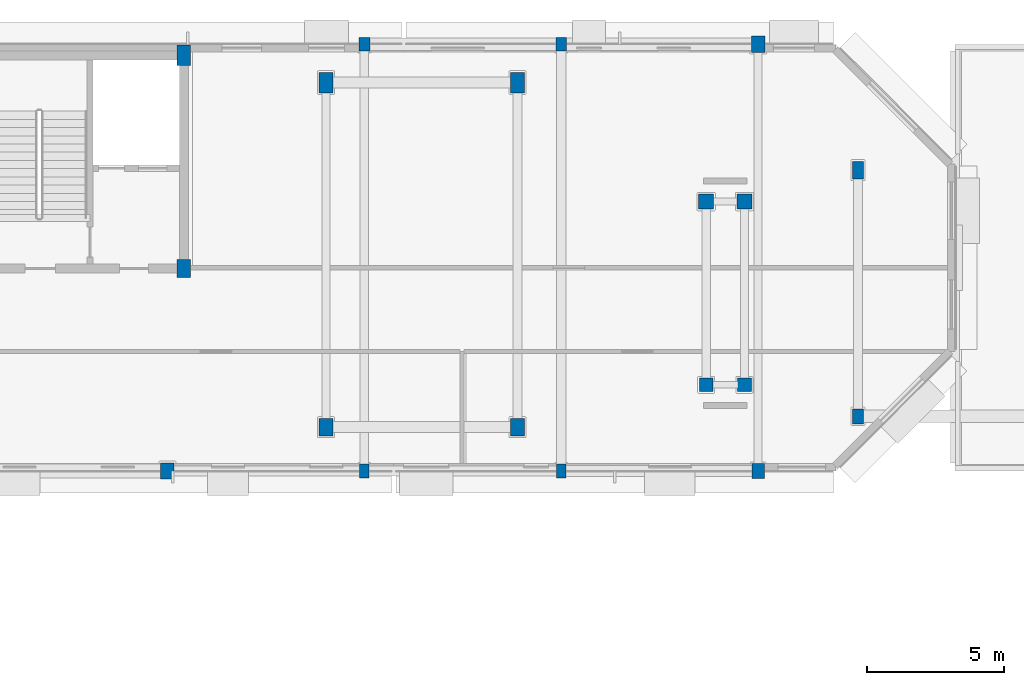
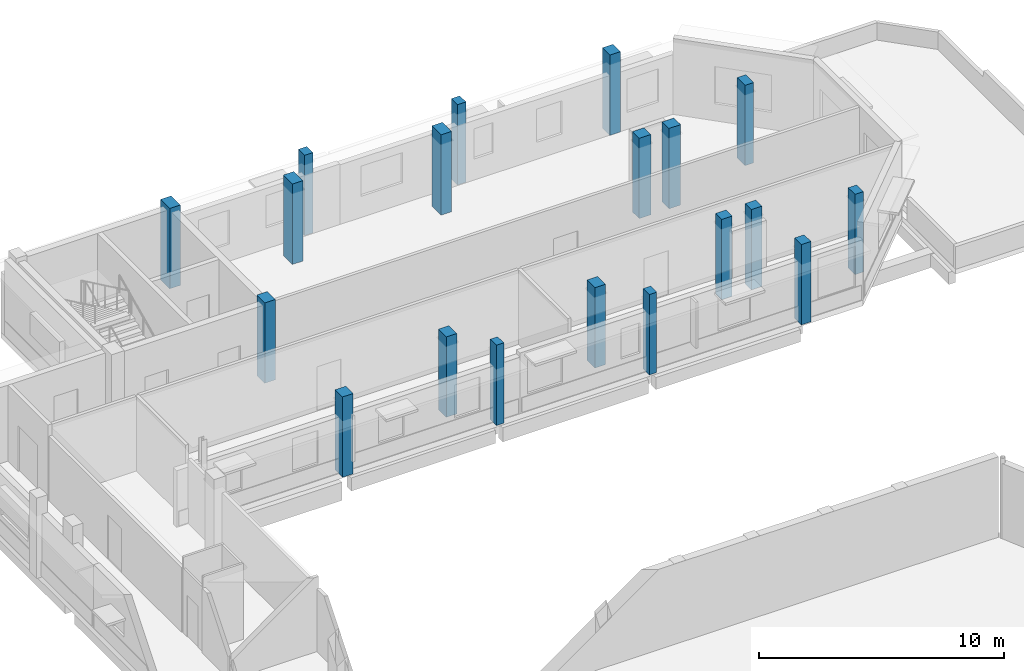
# One storey, part 17 of 105: 19 columns.
"""IFC4 building model written with IfcOpenShell, lengths in metres."""

from ifc_helpers import new_model, si_unit, direction, frame, origin, origin_2d, place, context, subcontext, project, spatial, rectangle, extrude, material, material_profile, profile_set, type_object, element, save


model = new_model("IFC4")

# Units and contexts
model_context = context("Model", 3, precision=1e-05, world=origin(), true_north=direction((0.0, 1.0)))
body_context = subcontext(model_context, "Body", "Model", "MODEL_VIEW")
ifc_project = project(units=[si_unit("LENGTHUNIT", "METRE"), si_unit("AREAUNIT", "SQUARE_METRE"), si_unit("VOLUMEUNIT", "CUBIC_METRE"), si_unit("PLANEANGLEUNIT", "RADIAN"), si_unit("MASSUNIT", "GRAM", prefix="KILO")], contexts=[model_context])

# Site, building, storey
site_placement = place(None, origin())
site = spatial("IfcSite", under=ifc_project, at=site_placement, CompositionType="ELEMENT")
building_placement = place(site_placement, origin())
building = spatial("IfcBuilding", under=site, at=building_placement, Name="Kelanivale Promenade Academy", CompositionType="ELEMENT")
storey_placement = place(building_placement, frame((0.0, 0.0, 4.199951171875)))
storey = spatial("IfcBuildingStorey", under=building, at=storey_placement, Name="L01", CompositionType="ELEMENT", Elevation=4.199951171875)

# Columns
ifc_material = material(Name="Concrete C40/50", Category="concrete")
ifc_material_profile_1 = material_profile(ifc_material, rectangle(XDim=0.5, YDim=0.5, at=origin_2d()), Name="RC-COL 500x500")
ifc_profile_set_1 = profile_set([ifc_material_profile_1], Name="Concrete C40/50")
column_type_1 = type_object("IfcColumnType", Name="C-03 RC-COL 500x500", PredefinedType="COLUMN", material=ifc_profile_set_1)
for number, where, z_axis, x_axis, name in (
    (1, (149.699951171875, 99.550048828125, 0.0), (0.0, 0.0, 1.0), (1.0, 0.0, 0.0), "Column C-03 at (149.7, 99.5) L01"),
    (2, (151.10009765625, 99.550048828125, 0.0), (0.0, 0.0, 1.0), (1.0, 0.0, 0.0), "Column C-03 at (151.1, 99.5) L01"),
):
    element("IfcColumn", number, at=place(storey_placement, frame(where, z_axis=z_axis, x_axis=x_axis)), inside=storey, type_object=column_type_1, Name=name, PredefinedType="COLUMN", context=body_context, shape_type="SweptSolid", body=[
        extrude(rectangle(XDim=0.5, YDim=0.5, at=origin_2d()), origin(), (0.0, 0.0, 1.0), 4.0),
    ])
ifc_material_profile_2 = material_profile(ifc_material, rectangle(XDim=0.550048828125, YDim=0.550048828125, at=origin_2d()), Name="RC-COL 550x550")
ifc_profile_set_2 = profile_set([ifc_material_profile_2], Name="Concrete C40/50")
column_type_2 = type_object("IfcColumnType", Name="C-04 RC-COL 550x550", PredefinedType="COLUMN", material=ifc_profile_set_2)
for number, where, z_axis, x_axis, name in (
    (3, (149.699951171875, 106.25, 0.0), (0.0, 0.0, 1.0), (1.0, 0.0, 0.0), "Column C-04 at (149.7, 106.2) L01"),
    (4, (151.10009765625, 106.25, 0.0), (0.0, 0.0, 1.0), (1.0, 0.0, 0.0), "Column C-04 at (151.1, 106.2) L01"),
):
    element("IfcColumn", number, at=place(storey_placement, frame(where, z_axis=z_axis, x_axis=x_axis)), inside=storey, type_object=column_type_2, Name=name, PredefinedType="COLUMN", context=body_context, shape_type="SweptSolid", body=[
        extrude(rectangle(XDim=0.550048828125, YDim=0.550048828125, at=origin_2d()), origin(), (0.0, 0.0, 1.0), 4.0),
    ])
ifc_material_profile_3 = material_profile(ifc_material, rectangle(XDim=0.39990234375, YDim=0.550048828125, at=origin_2d()), Name="RC-COL 400x550")
ifc_profile_set_3 = profile_set([ifc_material_profile_3], Name="Concrete C40/50")
column_type_3 = type_object("IfcColumnType", Name="C-07 RC-COL 400x550", PredefinedType="COLUMN", material=ifc_profile_set_3)
column_1_placement = place(storey_placement, frame((155.25, 98.39990234375, 0.0), z_axis=(0.0, 0.0, 1.0), x_axis=(1.0, 0.0, 0.0)))
element("IfcColumn", 5, at=column_1_placement, inside=storey, type_object=column_type_3, Name="Column C-07 at (155.2, 98.4) L01", PredefinedType="COLUMN", context=body_context, shape_type="SweptSolid", body=[
    extrude(rectangle(XDim=0.39990234375, YDim=0.550048828125, at=origin_2d()), origin(), (0.0, 0.0, 1.0), 4.0),
])
ifc_material_profile_4 = material_profile(ifc_material, rectangle(XDim=0.39990234375, YDim=0.64990234375, at=origin_2d()), Name="RC-COL 400x650")
ifc_profile_set_4 = profile_set([ifc_material_profile_4], Name="Concrete C40/50")
column_type_4 = type_object("IfcColumnType", Name="C-08 RC-COL 400x650", PredefinedType="COLUMN", material=ifc_profile_set_4)
column_2_placement = place(storey_placement, frame((155.25, 107.39990234375, 0.0), z_axis=(0.0, 0.0, 1.0), x_axis=(1.0, 0.0, 0.0)))
element("IfcColumn", 6, at=column_2_placement, inside=storey, type_object=column_type_4, Name="Column C-08 at (155.2, 107.4) L01", PredefinedType="COLUMN", context=body_context, shape_type="SweptSolid", body=[
    extrude(rectangle(XDim=0.39990234375, YDim=0.64990234375, at=origin_2d()), origin(), (0.0, 0.0, 1.0), 4.0),
])
ifc_material_profile_5 = material_profile(ifc_material, rectangle(XDim=0.5, YDim=0.64990234375, at=origin_2d()), Name="RC-COL 500x650")
ifc_profile_set_5 = profile_set([ifc_material_profile_5], Name="Concrete C40/50")
column_type_5 = type_object("IfcColumnType", Name="C-11 RC-COL 500x650", PredefinedType="COLUMN", material=ifc_profile_set_5)
for number, where, z_axis, x_axis, name in (
    (7, (130.60009765625, 103.800048828125, 0.0), (0.0, 0.0, 1.0), (1.0, 0.0, 0.0), "Column C-11 at (130.6, 103.8) L01"),
    (8, (135.800048828125, 98.0, 0.0), (0.0, 0.0, 1.0), (1.0, 0.0, 0.0), "Column C-11 at (135.8, 98.0) L01"),
    (9, (142.800048828125, 98.0, 0.0), (0.0, 0.0, 1.0), (1.0, 0.0, 0.0), "Column C-11 at (142.8, 98.0) L01"),
):
    element("IfcColumn", number, at=place(storey_placement, frame(where, z_axis=z_axis, x_axis=x_axis)), inside=storey, type_object=column_type_5, Name=name, PredefinedType="COLUMN", context=body_context, shape_type="SweptSolid", body=[
        extrude(rectangle(XDim=0.5, YDim=0.64990234375, at=origin_2d()), origin(), (0.0, 0.0, 1.0), 4.0),
    ])
ifc_material_profile_6 = material_profile(ifc_material, rectangle(XDim=0.5, YDim=0.75, at=origin_2d()), Name="RC-COL 500x750")
ifc_profile_set_6 = profile_set([ifc_material_profile_6], Name="Concrete C40/50")
column_type_6 = type_object("IfcColumnType", Name="C-12 RC-COL 500x750", PredefinedType="COLUMN", material=ifc_profile_set_6)
for number, where, z_axis, x_axis, name in (
    (10, (130.60009765625, 111.60009765625, 0.0), (0.0, 0.0, 1.0), (1.0, 0.0, 0.0), "Column C-12 at (130.6, 111.6) L01"),
    (11, (135.800048828125, 110.60009765625, 0.0), (0.0, 0.0, 1.0), (1.0, 0.0, 0.0), "Column C-12 at (135.8, 110.6) L01"),
    (12, (142.800048828125, 110.60009765625, 0.0), (0.0, 0.0, 1.0), (1.0, 0.0, 0.0), "Column C-12 at (142.8, 110.6) L01"),
):
    element("IfcColumn", number, at=place(storey_placement, frame(where, z_axis=z_axis, x_axis=x_axis)), inside=storey, type_object=column_type_6, Name=name, PredefinedType="COLUMN", context=body_context, shape_type="SweptSolid", body=[
        extrude(rectangle(XDim=0.5, YDim=0.75, at=origin_2d()), origin(), (0.0, 0.0, 1.0), 4.0),
    ])
ifc_material_profile_7 = material_profile(ifc_material, rectangle(XDim=0.35009765625, YDim=0.5, at=origin_2d()), Name="RC-PIL 350x500")
ifc_profile_set_7 = profile_set([ifc_material_profile_7], Name="Concrete C40/50")
column_type_7 = type_object("IfcColumnType", Name="PL-15 RC-PIL 350x500", PredefinedType="PILASTER", material=ifc_profile_set_7)
for number, where, z_axis, x_axis, name in (
    (13, (137.199951171875, 96.39990234375, 0.0), (0.0, 0.0, 1.0), (1.0, 0.0, 0.0), "Column PL-15 at (137.2, 96.4) L01"),
    (14, (144.39990234375, 96.39990234375, 0.0), (0.0, 0.0, 1.0), (1.0, 0.0, 0.0), "Column PL-15 at (144.4, 96.4) L01"),
):
    element("IfcColumn", number, at=place(storey_placement, frame(where, z_axis=z_axis, x_axis=x_axis)), inside=storey, type_object=column_type_7, Name=name, PredefinedType="PILASTER", context=body_context, shape_type="SweptSolid", body=[
        extrude(rectangle(XDim=0.35009765625, YDim=0.5, at=origin_2d()), origin(), (0.0, 0.0, 1.0), 4.0),
    ])
ifc_material_profile_8 = material_profile(ifc_material, rectangle(XDim=0.39990234375, YDim=0.5, at=origin_2d()), Name="RC-PIL 400x500")
ifc_profile_set_8 = profile_set([ifc_material_profile_8], Name="Concrete C40/50")
column_type_8 = type_object("IfcColumnType", Name="PL-16 RC-PIL 400x500", PredefinedType="PILASTER", material=ifc_profile_set_8)
for number, where, z_axis, x_axis, name in (
    (15, (137.199951171875, 112.0, 0.0), (0.0, 0.0, 1.0), (1.0, 0.0, 0.0), "Column PL-16 at (137.2, 112.0) L01"),
    (16, (144.39990234375, 112.0, 0.0), (0.0, 0.0, 1.0), (1.0, 0.0, 0.0), "Column PL-16 at (144.4, 112.0) L01"),
):
    element("IfcColumn", number, at=place(storey_placement, frame(where, z_axis=z_axis, x_axis=x_axis)), inside=storey, type_object=column_type_8, Name=name, PredefinedType="PILASTER", context=body_context, shape_type="SweptSolid", body=[
        extrude(rectangle(XDim=0.39990234375, YDim=0.5, at=origin_2d()), origin(), (0.0, 0.0, 1.0), 4.0),
    ])
ifc_material_profile_9 = material_profile(ifc_material, rectangle(XDim=0.449951171875, YDim=0.550048828125, at=origin_2d()), Name="RC-PIL 450x550")
ifc_profile_set_9 = profile_set([ifc_material_profile_9], Name="Concrete C40/50")
column_type_9 = type_object("IfcColumnType", Name="PL-17 RC-PIL 450x550", PredefinedType="PILASTER", material=ifc_profile_set_9)
column_3_placement = place(storey_placement, frame((151.60009765625, 96.39990234375, 0.0), z_axis=(0.0, 0.0, 1.0), x_axis=(1.0, 0.0, 0.0)))
element("IfcColumn", 17, at=column_3_placement, inside=storey, type_object=column_type_9, Name="Column PL-17 at (151.6, 96.4) L01", PredefinedType="PILASTER", context=body_context, shape_type="SweptSolid", body=[
    extrude(rectangle(XDim=0.449951171875, YDim=0.550048828125, at=origin_2d()), origin(), (0.0, 0.0, 1.0), 4.0),
])
ifc_material_profile_10 = material_profile(ifc_material, rectangle(XDim=0.5, YDim=0.60009765625, at=origin_2d()), Name="RC-PIL 500x600")
ifc_profile_set_10 = profile_set([ifc_material_profile_10], Name="Concrete C40/50")
column_type_10 = type_object("IfcColumnType", Name="PL-18 RC-PIL 500x600", PredefinedType="PILASTER", material=ifc_profile_set_10)
for number, where, z_axis, x_axis, name in (
    (18, (130.0, 96.39990234375, 0.0), (0.0, 0.0, 1.0), (1.0, 0.0, 0.0), "Column PL-18 at (130.0, 96.4) L01"),
    (19, (151.60009765625, 112.0, 0.0), (0.0, 0.0, 1.0), (1.0, 0.0, 0.0), "Column PL-18 at (151.6, 112.0) L01"),
):
    element("IfcColumn", number, at=place(storey_placement, frame(where, z_axis=z_axis, x_axis=x_axis)), inside=storey, type_object=column_type_10, Name=name, PredefinedType="PILASTER", context=body_context, shape_type="SweptSolid", body=[
        extrude(rectangle(XDim=0.5, YDim=0.60009765625, at=origin_2d()), origin(), (0.0, 0.0, 1.0), 4.0),
    ])

save(model, "model.ifc")
